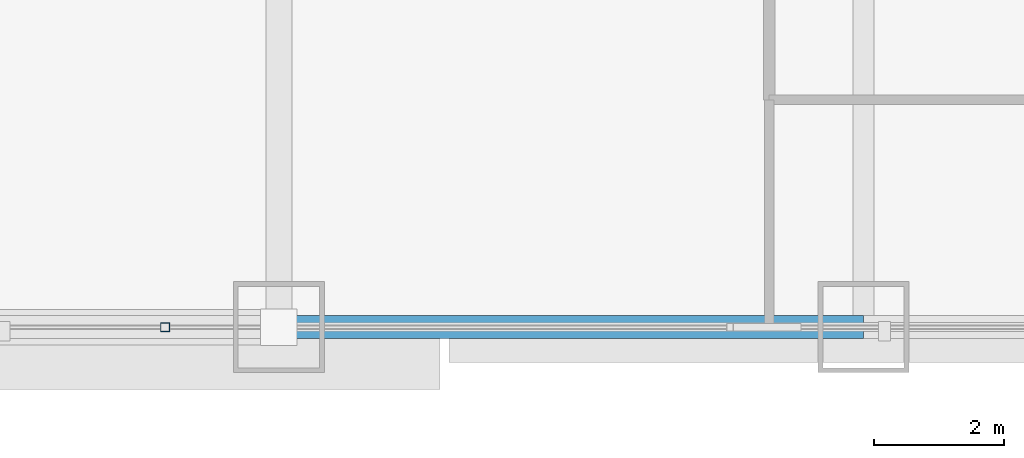
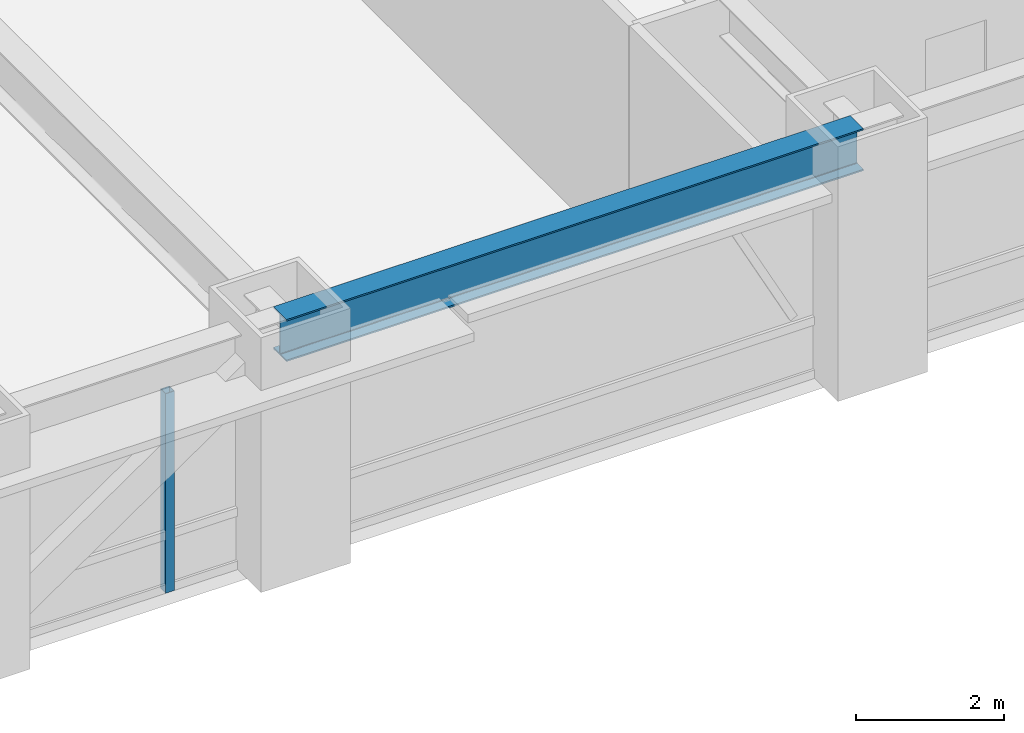
# One storey, part 8 of 31: 1 beam, 1 member, 1 element without a shape of its own.
"""IFC4 building model written with IfcOpenShell, lengths in metres."""

import ifcopenshell
import ifcopenshell.guid

model = None  # the IFC model being written
_history = None  # IfcOwnerHistory: only IFC2X3 demands one
_inside = {}  # id of a spatial element -> (the spatial element, [elements in it])
_under = {}  # id of a project, library or spatial element -> (it, [spatial elements below it])
_declared = {}  # id of a project -> (the project, [libraries it declares])
_typed = {}  # id of a type object -> (the type object, [elements of that type])
_made_of = {}  # id of a material, layer set ... -> (it, [elements and type objects made of it])


def new_model(schema):
    """Start an empty IFC model of exactly this schema.

    Asked for "IFC4X3", IfcOpenShell would pick the latest addendum, in which some entities
    have other attributes; the version numbers below select the first issue.
    IFC2X3 requires an IfcOwnerHistory on every rooted entity: one is made here for all.
    """
    global model, _history
    if schema == "IFC4X3":
        model = ifcopenshell.file(schema_version=(4, 3, 0, 0))
    else:
        model = ifcopenshell.file(schema=schema)
    _inside.clear()
    _under.clear()
    _declared.clear()
    _typed.clear()
    _made_of.clear()
    _history = None
    if model.schema == "IFC2X3":
        org = make("IfcOrganization", Name="unknown")
        user = make(
            "IfcPersonAndOrganization",
            ThePerson=make("IfcPerson", FamilyName="unknown"),
            TheOrganization=org,
        )
        app = make(
            "IfcApplication",
            ApplicationDeveloper=org,
            Version="unknown",
            ApplicationFullName="unknown",
            ApplicationIdentifier="unknown",
        )
        _history = make(
            "IfcOwnerHistory",
            OwningUser=user,
            OwningApplication=app,
            ChangeAction="ADDED",
            CreationDate=0,
        )
    return model


def make(cls, **values):
    """One entity of the class cls with the attributes given. An attribute that is None is left unset."""
    return model.create_entity(
        cls, **{name: value for name, value in values.items() if value is not None}
    )


def rooted(cls, **values):
    """An entity with a GlobalId (a new one), such as an element, a storey or a relation."""
    return make(cls, GlobalId=ifcopenshell.guid.new(), OwnerHistory=_history, **values)


def si_unit(unit_type, name, prefix=None):
    """IfcSIUnit, for example si_unit("LENGTHUNIT", "METRE", prefix="MILLI")."""
    return make("IfcSIUnit", UnitType=unit_type, Prefix=prefix, Name=name)


def assignment(units):
    """IfcUnitAssignment: the units of a project."""
    return None if units is None else make("IfcUnitAssignment", Units=units)


def point(xyz):
    """IfcCartesianPoint."""
    return None if xyz is None else make("IfcCartesianPoint", Coordinates=xyz)


def direction(xyz):
    """IfcDirection."""
    return None if xyz is None else make("IfcDirection", DirectionRatios=xyz)


def frame(location, z_axis=None, x_axis=None):
    """IfcAxis2Placement3D, a coordinate frame: its origin and axes. An axis left out is left unset."""
    return make(
        "IfcAxis2Placement3D",
        Location=point(location),
        Axis=direction(z_axis),
        RefDirection=direction(x_axis),
    )


def frame_2d(location, x_axis=None):
    """IfcAxis2Placement2D, a coordinate frame in the plane: its origin and x axis."""
    return make(
        "IfcAxis2Placement2D", Location=point(location), RefDirection=direction(x_axis)
    )


def origin():
    """The frame at (0, 0, 0) with its axes left unset."""
    return frame((0.0, 0.0, 0.0))


def origin_2d():
    """The frame at (0, 0) in the plane with its x axis left unset."""
    return frame_2d((0.0, 0.0))


def place(relative_to, where):
    """IfcLocalPlacement: puts the frame where relative to a parent placement (None: the world)."""
    return make(
        "IfcLocalPlacement", PlacementRelTo=relative_to, RelativePlacement=where
    )


def context(
    kind, dimensions, precision=None, world=None, true_north=None, identifier=None
):
    """IfcGeometricRepresentationContext, for example the 3D "Model" context."""
    return make(
        "IfcGeometricRepresentationContext",
        ContextIdentifier=identifier,
        ContextType=kind,
        CoordinateSpaceDimension=dimensions,
        Precision=precision,
        WorldCoordinateSystem=world,
        TrueNorth=true_north,
    )


def subcontext(parent, identifier, kind, view, scale=None):
    """IfcGeometricRepresentationSubContext, for example "Body" below "Model"."""
    return make(
        "IfcGeometricRepresentationSubContext",
        ContextIdentifier=identifier,
        ContextType=kind,
        ParentContext=parent,
        TargetScale=scale,
        TargetView=view,
    )


def project(units=None, contexts=None):
    """IfcProject with its units and contexts."""
    return rooted(
        "IfcProject",
        Name="project",
        RepresentationContexts=contexts,
        UnitsInContext=assignment(units),
    )


def spatial(cls, under=None, at=None, **own):
    """A site, building, storey or space (cls), placed at a placement, below another one or the project."""
    s = rooted(cls, ObjectPlacement=at, **own)
    if under is not None:
        _under.setdefault(under.id(), (under, []))[1].append(s)
    return s


def profile(cls, at=None, kind="AREA", **sizes):
    """A parametric profile (cls). Its sizes go by their IFC names, for example OverallWidth=200.0."""
    return make(cls, ProfileType=kind, Position=at, **sizes)


def hollow_rectangle(**sizes):
    """IfcRectangleHollowProfileDef."""
    return profile("IfcRectangleHollowProfileDef", **sizes)


def i_section(**sizes):
    """IfcIShapeProfileDef."""
    return profile("IfcIShapeProfileDef", **sizes)


def extrude(swept, where, along, depth):
    """IfcExtrudedAreaSolid: the profile swept, set in the frame where, extruded along a direction by depth."""
    return make(
        "IfcExtrudedAreaSolid",
        SweptArea=swept,
        Position=where,
        ExtrudedDirection=direction(along),
        Depth=depth,
    )


def shape(context_of_items, identifier, shape_type, items):
    """IfcShapeRepresentation: the items that make up one representation, for example the "Body"."""
    return make(
        "IfcShapeRepresentation",
        ContextOfItems=context_of_items,
        RepresentationIdentifier=identifier,
        RepresentationType=shape_type,
        Items=items,
    )


def source(mapping_origin, context_of_items, identifier, shape_type, items):
    """IfcRepresentationMap: a shape defined once, which mapped items show again and again."""
    return make(
        "IfcRepresentationMap",
        MappingOrigin=mapping_origin,
        MappedRepresentation=shape(context_of_items, identifier, shape_type, items),
    )


def transform(
    local_origin,
    x_axis=None,
    y_axis=None,
    z_axis=None,
    scale=None,
    scale2=None,
    scale3=None,
    uniform=True,
):
    """IfcCartesianTransformationOperator3D, or its non-uniform kind. x_axis, y_axis, z_axis: its Axis1, 2, 3."""
    if uniform:
        return make(
            "IfcCartesianTransformationOperator3D",
            Axis1=direction(x_axis),
            Axis2=direction(y_axis),
            LocalOrigin=point(local_origin),
            Scale=scale,
            Axis3=direction(z_axis),
        )
    return make(
        "IfcCartesianTransformationOperator3DnonUniform",
        Axis1=direction(x_axis),
        Axis2=direction(y_axis),
        LocalOrigin=point(local_origin),
        Scale=scale,
        Axis3=direction(z_axis),
        Scale2=scale2,
        Scale3=scale3,
    )


def mapped(mapping_source, mapping_target):
    """IfcMappedItem: shows the shape of a source again, moved by a transform."""
    return make(
        "IfcMappedItem", MappingSource=mapping_source, MappingTarget=mapping_target
    )


def material(Name=None, Category=None):
    """IfcMaterial."""
    return make("IfcMaterial", Name=Name, Category=Category)


def material_profile(
    of_material, cross_section, Name=None, Category=None, Priority=None
):
    """IfcMaterialProfile: a cross section and its material."""
    return make(
        "IfcMaterialProfile",
        Name=Name,
        Material=of_material,
        Profile=cross_section,
        Priority=Priority,
        Category=Category,
    )


def profile_set(profiles, Name=None, composite=None):
    """IfcMaterialProfileSet."""
    return make(
        "IfcMaterialProfileSet",
        Name=Name,
        MaterialProfiles=profiles,
        CompositeProfile=composite,
    )


def made_of(thing, what):
    """Note that an element or type object is made of a material, layer set ...; save() writes the relation."""
    if what is not None:
        _made_of.setdefault(what.id(), (what, []))[1].append(thing)
    return thing


def type_object(cls, material=None, **own):
    """A type object (cls), such as IfcWallType, which elements share."""
    return made_of(rooted(cls, **own), material)


def element(
    cls,
    number,
    at=None,
    inside=None,
    cuts=None,
    type_object=None,
    material=None,
    context=None,
    identifier="Body",
    shape_type=None,
    held_by="IfcProductDefinitionShape",
    body=None,
    shapes=None,
    **own,
):
    """One element of the class cls, such as IfcWall. Its Tag is "e" and its number.

    at: its placement. inside: the storey or other place that contains it. cuts: it is an
    opening in that element (IfcRelVoidsElement). A single representation is given by context,
    identifier, shape_type and body (its items); several are given by shapes. held_by: the class
    of the entity that holds the representations. save() writes the other relations.
    """
    e = rooted(cls, Tag="e%d" % number, ObjectPlacement=at, **own)
    if body is not None:
        shapes = [shape(context, identifier, shape_type, body)]
    if shapes is not None:
        e.Representation = make(held_by, Representations=shapes)
    if inside is not None:
        _inside.setdefault(inside.id(), (inside, []))[1].append(e)
    if cuts is not None:
        rooted(
            "IfcRelVoidsElement", RelatingBuildingElement=cuts, RelatedOpeningElement=e
        )
    if type_object is not None:
        _typed.setdefault(type_object.id(), (type_object, []))[1].append(e)
    return made_of(e, material)


def aggregate(whole, parts):
    """IfcRelAggregates: a whole, such as a stair, and the parts it consists of."""
    return rooted("IfcRelAggregates", RelatingObject=whole, RelatedObjects=parts)


def save(model, path):
    """Write the relations noted so far, then the file.

    IfcRelAggregates (storeys below a building ...), IfcRelContainedInSpatialStructure (elements
    in a storey), IfcRelDefinesByType, IfcRelAssociatesMaterial and IfcRelDeclares: one each for
    every whole, place, type object, material and project.
    """
    for whole, parts in _under.values():
        aggregate(whole, parts)
    for where, things in _inside.values():
        rooted(
            "IfcRelContainedInSpatialStructure",
            RelatedElements=things,
            RelatingStructure=where,
        )
    for kind, things in _typed.values():
        rooted("IfcRelDefinesByType", RelatedObjects=things, RelatingType=kind)
    for what, things in _made_of.values():
        rooted("IfcRelAssociatesMaterial", RelatedObjects=things, RelatingMaterial=what)
    for by, libraries in _declared.values():
        rooted("IfcRelDeclares", RelatingContext=by, RelatedDefinitions=libraries)
    model.write(path)


model = new_model("IFC4")

# Units and contexts
model_context = context("Model", 3, precision=1e-05, world=origin(), true_north=direction((0.0, 1.0)))
body_context = subcontext(model_context, "Body", "Model", "MODEL_VIEW")
ifc_project = project(units=[si_unit("LENGTHUNIT", "METRE"), si_unit("AREAUNIT", "SQUARE_METRE"), si_unit("VOLUMEUNIT", "CUBIC_METRE"), si_unit("PLANEANGLEUNIT", "RADIAN"), si_unit("MASSUNIT", "GRAM", prefix="KILO")], contexts=[model_context])

# Site, building, storey
site_placement = place(None, origin())
site = spatial("IfcSite", under=ifc_project, at=site_placement, CompositionType="ELEMENT")
building_placement = place(site_placement, origin())
building = spatial("IfcBuilding", under=site, at=building_placement, Name="Khorayat Bourse Tower", CompositionType="ELEMENT")
storey_placement = place(building_placement, frame((0.0, 0.0, 36.800048828125)))
storey = spatial("IfcBuildingStorey", under=building, at=storey_placement, Name="L07", CompositionType="ELEMENT", Elevation=36.800048828125)

# Beam
ifc_material_1 = material(Name="Steel ASTM A992 Grade 50", Category="steel")
ifc_material_profile_1 = material_profile(ifc_material_1, i_section(OverallWidth=0.35498046875, OverallDepth=0.695068359375, WebThickness=0.015380859375, FlangeThickness=0.02490234375, FilletRadius=0.01806640625, at=origin_2d()), Name="W690X217")
ifc_profile_set_1 = profile_set([ifc_material_profile_1], Name="Steel ASTM A992 Grade 50")
beam_type = type_object("IfcBeamType", Name="BM-SPAN-690", PredefinedType="SPANDREL", material=ifc_profile_set_1)
shared_shape_1 = source(origin(), body_context, "Body", "SweptSolid", [
    extrude(i_section(OverallWidth=0.35498046875, OverallDepth=0.695068359375, WebThickness=0.015380859375, FlangeThickness=0.02490234375, FilletRadius=0.01806640625, at=origin_2d()), origin(), (0.0, 0.0, 1.0), 9.0),
])
beam_placement = place(storey_placement, frame((11.0, -32.0, 3.592529296875), z_axis=(1.0, 0.0, 0.0), x_axis=(0.0, 1.0, 0.0)))
element("IfcBeam", 1, at=beam_placement, inside=storey, type_object=beam_type, Name="L07 BM-SPAN-690 BM-L07-SPN-030", PredefinedType="SPANDREL", context=body_context, shape_type="MappedRepresentation", body=[
    mapped(shared_shape_1, transform((0.0, 0.0, 0.0), scale=1.0)),
])

# Curtain wall, member
ifc_material_2 = material(Name="Aluminium EN AW-6063 T6", Category="aluminium")
curtain_wall_type = type_object("IfcCurtainWallType", Name="CW-SYS-02", PredefinedType="NOTDEFINED", material=ifc_material_2)
curtain_wall_placement = place(storey_placement, origin())
curtain_wall = element("IfcCurtainWall", 2, at=curtain_wall_placement, inside=storey, type_object=curtain_wall_type, Name="L07 Curtain Wall CW-L07-S1", PredefinedType="NOTDEFINED")
ifc_material_profile_2 = material_profile(ifc_material_2, hollow_rectangle(XDim=0.139892578125, YDim=0.139892578125, WallThickness=0.006103515625, at=origin_2d()), Name="ALU 140x140x6")
ifc_profile_set_2 = profile_set([ifc_material_profile_2], Name="Aluminium EN AW-6063 T6")
member_type = type_object("IfcMemberType", Name="CWM-VERT-140", PredefinedType="MULLION", material=ifc_profile_set_2)
shared_shape_2 = source(origin(), body_context, "Body", "SweptSolid", [
    extrude(hollow_rectangle(XDim=0.139892578125, YDim=0.139892578125, WallThickness=0.006103515625, at=origin_2d()), origin(), (0.0, 0.0, 1.0), 3.2900390625),
])
member_placement = place(storey_placement, frame((9.25, -32.0, 0.0), z_axis=(0.0, 0.0, 1.0), x_axis=(0.0, 1.0, 0.0)))
member = element("IfcMember", 3, at=member_placement, type_object=member_type, Name="CW-L07-S1 Vertical Mullion 3", PredefinedType="MULLION", context=body_context, shape_type="MappedRepresentation", body=[
    mapped(shared_shape_2, transform((0.0, 0.0, 0.0), scale=1.0)),
])
aggregate(curtain_wall, [member])

save(model, "model.ifc")
